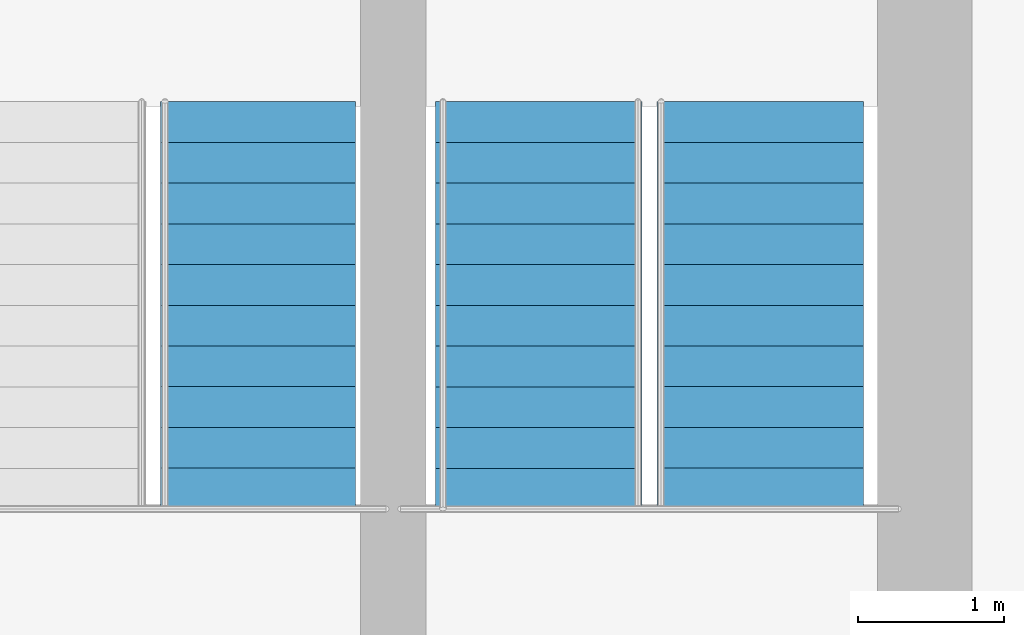
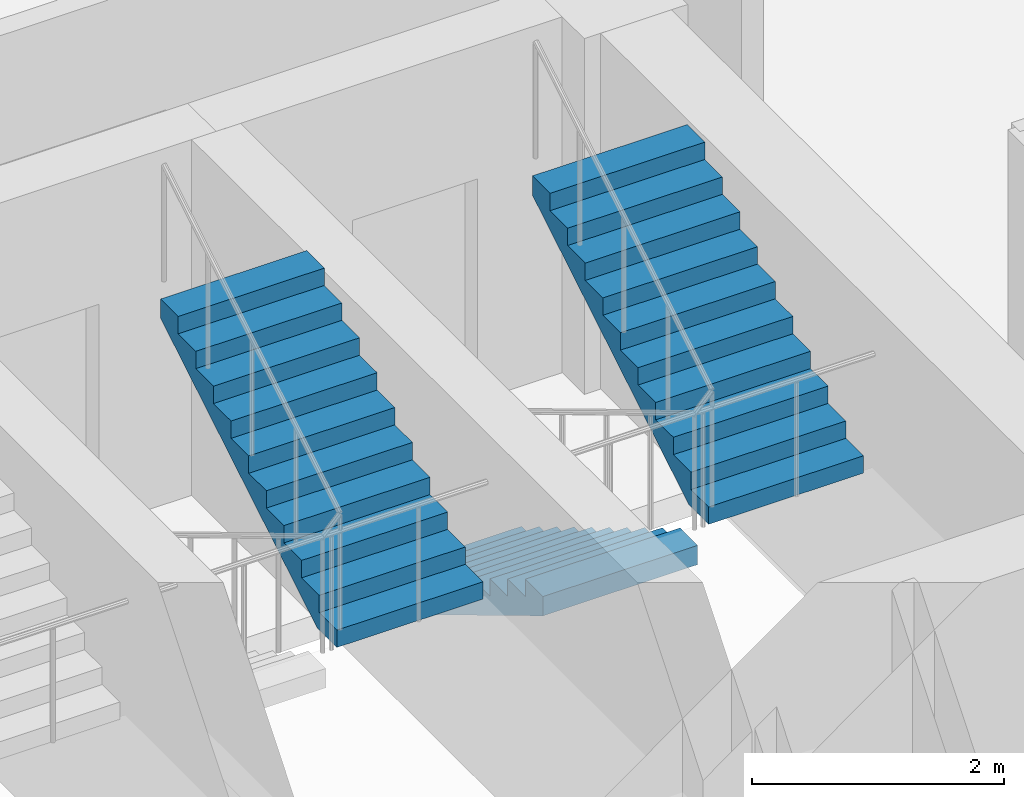
# One storey, part 25 of 26: 3 stair flights, 2 elements without a shape of their own.
"""IFC4 building model written with IfcOpenShell, lengths in metres."""

from ifc_helpers import new_model, si_unit, direction, frame, origin, place, context, subcontext, project, spatial, polyline, outline, extrude, material, type_object, element, aggregate, save


model = new_model("IFC4")

# Units and contexts
model_context = context("Model", 3, precision=1e-05, world=origin(), true_north=direction((0.0, 1.0)))
body_context = subcontext(model_context, "Body", "Model", "MODEL_VIEW")
ifc_project = project(units=[si_unit("LENGTHUNIT", "METRE"), si_unit("AREAUNIT", "SQUARE_METRE"), si_unit("VOLUMEUNIT", "CUBIC_METRE"), si_unit("PLANEANGLEUNIT", "RADIAN"), si_unit("MASSUNIT", "GRAM", prefix="KILO")], contexts=[model_context])

# Site, building, storey
site_placement = place(None, origin())
site = spatial("IfcSite", under=ifc_project, at=site_placement, CompositionType="ELEMENT")
building_placement = place(site_placement, origin())
building = spatial("IfcBuilding", under=site, at=building_placement, Name="Nuhasar Tower", CompositionType="ELEMENT")
storey_placement = place(building_placement, frame((0.0, 0.0, 184.85009765625)))
storey = spatial("IfcBuildingStorey", under=building, at=storey_placement, Name="L45", CompositionType="ELEMENT", Elevation=184.85009765625)

# Stair, stair flights
ifc_material = material(Name="Concrete C45/55", Category="concrete")
stair_type_1 = type_object("IfcStairType", Name="STR-ST-02-2F-22R-1682", PredefinedType="HALF_TURN_STAIR", material=ifc_material)
stair_1_placement = place(storey_placement, origin())
stair_1 = element("IfcStair", 1, at=stair_1_placement, inside=storey, type_object=stair_type_1, Name="L45 Exit Stair ST-02", PredefinedType="HALF_TURN_STAIR")
stair_flight_type_1 = type_object("IfcStairFlightType", Name="SFL-ST-02-11R-1682", PredefinedType="STRAIGHT", material=ifc_material)
stair_flight_1_placement = place(storey_placement, frame((41.64990234375, 35.284912109375, 0.0), z_axis=(0.0, 0.0, 1.0), x_axis=(0.0, -1.0, 0.0)))
stair_flight_1 = element("IfcStairFlight", 2, at=stair_flight_1_placement, type_object=stair_flight_type_1, Name="ST-02 flight 1", NumberOfRisers=11, NumberOfTreads=10, PredefinedType="STRAIGHT", RiserHeight=0.168182, TreadLength=0.28, context=body_context, shape_type="SweptSolid", body=[
    extrude(outline(polyline([(0.0, 0.0), (0.0, 0.168212890625), (0.280029296875, 0.168212890625), (0.280029296875, 0.33642578125), (0.56005859375, 0.33642578125), (0.56005859375, 0.504638671875), (0.840087890625, 0.504638671875), (0.840087890625, 0.672607421875), (1.1201171875, 0.672607421875), (1.1201171875, 0.8408203125), (1.39990234375, 0.8408203125), (1.39990234375, 1.009033203125), (1.679931640625, 1.009033203125), (1.679931640625, 1.17724609375), (1.9599609375, 1.17724609375), (1.9599609375, 1.345458984375), (2.239990234375, 1.345458984375), (2.239990234375, 1.513671875), (2.52001953125, 1.513671875), (2.52001953125, 1.681884765625), (2.800048828125, 1.681884765625), (2.800048828125, 1.85009765625), (2.800048828125, 1.495361328125), (0.310546875, 0.0), (0.0, 0.0)])), frame((0.0, 0.7099609375, 0.0), z_axis=(0.0, -1.0, 0.0), x_axis=(1.0, 0.0, 0.0)), (0.0, 0.0, 1.0), 1.419921875),
])
stair_flight_2_placement = place(storey_placement, frame((43.169921875, 32.485107421875, 1.849853515625), z_axis=(0.0, 0.0, 1.0), x_axis=(0.0, 1.0, 0.0)))
stair_flight_2 = element("IfcStairFlight", 3, at=stair_flight_2_placement, type_object=stair_flight_type_1, Name="ST-02 flight 2", NumberOfRisers=11, NumberOfTreads=10, PredefinedType="STRAIGHT", RiserHeight=0.168182, TreadLength=0.28, context=body_context, shape_type="SweptSolid", body=[
    extrude(outline(polyline([(0.0, 0.0), (0.0, 0.168212890625), (0.280029296875, 0.168212890625), (0.280029296875, 0.33642578125), (0.56005859375, 0.33642578125), (0.56005859375, 0.504638671875), (0.840087890625, 0.504638671875), (0.840087890625, 0.672607421875), (1.1201171875, 0.672607421875), (1.1201171875, 0.8408203125), (1.39990234375, 0.8408203125), (1.39990234375, 1.009033203125), (1.679931640625, 1.009033203125), (1.679931640625, 1.17724609375), (1.9599609375, 1.17724609375), (1.9599609375, 1.345458984375), (2.239990234375, 1.345458984375), (2.239990234375, 1.513671875), (2.52001953125, 1.513671875), (2.52001953125, 1.681884765625), (2.800048828125, 1.681884765625), (2.800048828125, 1.85009765625), (2.800048828125, 1.495361328125), (0.310546875, 0.0), (0.0, 0.0)])), frame((0.0, 0.7099609375, 0.0), z_axis=(0.0, -1.0, 0.0), x_axis=(1.0, 0.0, 0.0)), (0.0, 0.0, 1.0), 1.419921875),
])
aggregate(stair_1, [stair_flight_1, stair_flight_2])

# Stair, stair flight
stair_type_2 = type_object("IfcStairType", Name="STR-ST-03-2F-22R-1682", PredefinedType="HALF_TURN_STAIR", material=ifc_material)
stair_2_placement = place(storey_placement, origin())
stair_2 = element("IfcStair", 4, at=stair_2_placement, inside=storey, type_object=stair_type_2, Name="L45 Exit Stair ST-03", PredefinedType="HALF_TURN_STAIR")
stair_flight_type_2 = type_object("IfcStairFlightType", Name="SFL-ST-03-11R-1682", PredefinedType="STRAIGHT", material=ifc_material)
stair_flight_3_placement = place(storey_placement, frame((39.719970703125, 32.485107421875, 1.849853515625), z_axis=(0.0, 0.0, 1.0), x_axis=(0.0, 1.0, 0.0)))
stair_flight_3 = element("IfcStairFlight", 5, at=stair_flight_3_placement, type_object=stair_flight_type_2, Name="ST-03 flight 2", NumberOfRisers=11, NumberOfTreads=10, PredefinedType="STRAIGHT", RiserHeight=0.168182, TreadLength=0.28, context=body_context, shape_type="SweptSolid", body=[
    extrude(outline(polyline([(0.0, 0.0), (0.0, 0.168212890625), (0.280029296875, 0.168212890625), (0.280029296875, 0.33642578125), (0.56005859375, 0.33642578125), (0.56005859375, 0.504638671875), (0.840087890625, 0.504638671875), (0.840087890625, 0.672607421875), (1.1201171875, 0.672607421875), (1.1201171875, 0.8408203125), (1.39990234375, 0.8408203125), (1.39990234375, 1.009033203125), (1.679931640625, 1.009033203125), (1.679931640625, 1.17724609375), (1.9599609375, 1.17724609375), (1.9599609375, 1.345458984375), (2.239990234375, 1.345458984375), (2.239990234375, 1.513671875), (2.52001953125, 1.513671875), (2.52001953125, 1.681884765625), (2.800048828125, 1.681884765625), (2.800048828125, 1.85009765625), (2.800048828125, 1.495361328125), (0.310546875, 0.0), (0.0, 0.0)])), frame((0.0, 0.669921875, 0.0), z_axis=(0.0, -1.0, 0.0), x_axis=(1.0, 0.0, 0.0)), (0.0, 0.0, 1.0), 1.340087890625),
])
aggregate(stair_2, [stair_flight_3])

save(model, "model.ifc")
